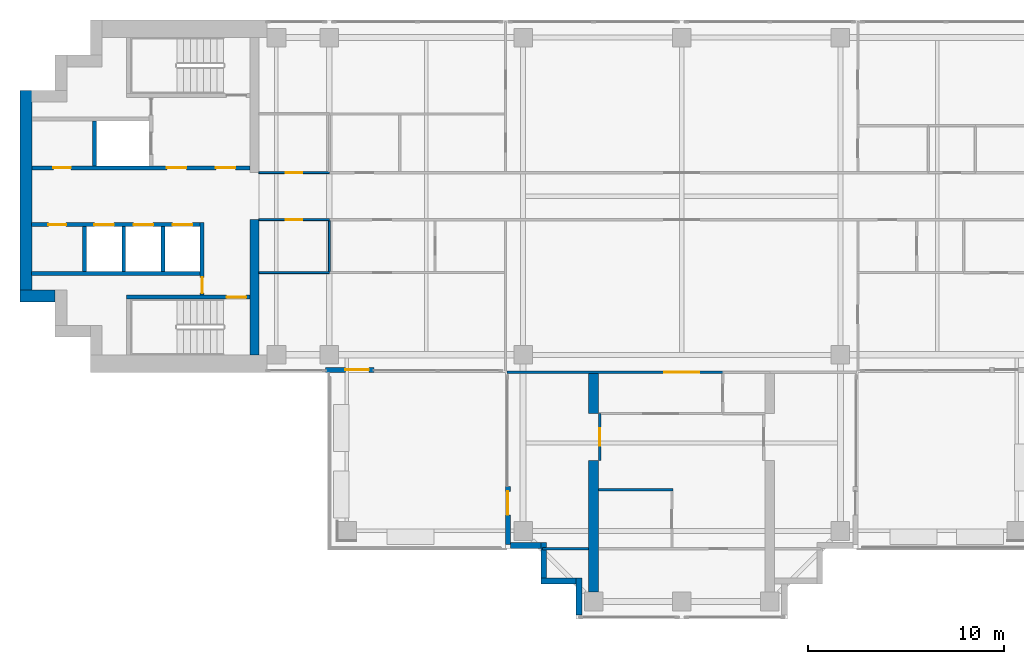
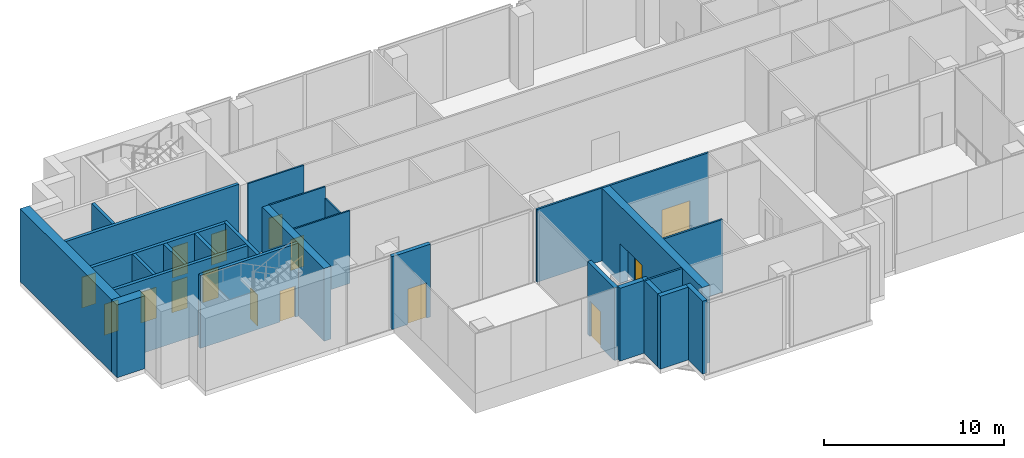
# One storey, part 5 of 12: 27 walls, 15 doors, 15 openings.
"""IFC4 building model written with IfcOpenShell, lengths in metres."""

from ifc_helpers import new_model, si_unit, direction, frame, frame_2d, origin, place, context, subcontext, project, spatial, polyline, rectangle, outline, extrude, material, layer, layer_set, material_profile, profile_set, type_object, element, fill, save


model = new_model("IFC4")

# Units and contexts
model_context = context("Model", 3, precision=1e-05, world=origin(), true_north=direction((0.0, 1.0)))
body_context = subcontext(model_context, "Body", "Model", "MODEL_VIEW")
ifc_project = project(units=[si_unit("LENGTHUNIT", "METRE"), si_unit("AREAUNIT", "SQUARE_METRE"), si_unit("VOLUMEUNIT", "CUBIC_METRE"), si_unit("PLANEANGLEUNIT", "RADIAN"), si_unit("MASSUNIT", "GRAM", prefix="KILO")], contexts=[model_context])

# Site, building, storey
site_placement = place(None, origin())
site = spatial("IfcSite", under=ifc_project, at=site_placement, CompositionType="ELEMENT")
building_placement = place(site_placement, origin())
building = spatial("IfcBuilding", under=site, at=building_placement, Name="Perihelion Cross Residences", CompositionType="ELEMENT")
storey_placement = place(building_placement, frame((0.0, 0.0, 222.60009765625)))
storey = spatial("IfcBuildingStorey", under=building, at=storey_placement, Name="L56", CompositionType="ELEMENT", Elevation=222.60009765625)

# Wall, opening, door
ifc_material_1 = material(Name="Concrete C30/37, bronze-clad", Category="concrete")
ifc_layer_1 = layer(ifc_material_1, 0.25)
ifc_layer_set_1 = layer_set([ifc_layer_1], Name="Bronze-clad pier wall 250")
wall_type_1 = type_object("IfcWallType", Name="Bronze-clad pier wall 250", PredefinedType="SOLIDWALL", material=ifc_layer_set_1)
wall_1_placement = place(storey_placement, frame((-18.199951171875, -8.875, 0.0), z_axis=(0.0, 0.0, 1.0), x_axis=(1.0, 0.0, 0.0)))
wall_1 = element("IfcWall", 1, at=wall_1_placement, inside=storey, type_object=wall_type_1, Name="Wall FW1 L56 west side south bay 2 pier", PredefinedType="SOLIDWALL", context=body_context, shape_type="SweptSolid", body=[
    extrude(rectangle(XDim=2.474853515625, YDim=0.25, at=frame_2d((1.2373046875, 0.0))), origin(), (0.0, 0.0, 1.0), 4.949951171875),
])
opening_1_placement = place(wall_1_placement, frame((1.02490234375, 0.0, 0.0)))
opening_1 = element("IfcOpeningElement", 2, at=opening_1_placement, cuts=wall_1, Name="Opening L56.E01", PredefinedType="OPENING", context=body_context, shape_type="SweptSolid", body=[
    extrude(rectangle(XDim=1.199951171875, YDim=2.39990234375, at=frame_2d((0.60009765625, 1.199951171875))), frame((0.0, 0.135009765625, 0.0), z_axis=(0.0, -1.0, 0.0), x_axis=(1.0, 0.0, 0.0)), (0.0, 0.0, 1.0), 0.27001953125),
])
ifc_material_2 = material(Name="Bronze anodised aluminium, glazed", Category="aluminium")
door_type_1 = type_object("IfcDoorType", Name="Balcony door 1200 x 2400", OperationType="NOTDEFINED", PredefinedType="DOOR", material=ifc_material_2)
door_1_placement = place(opening_1_placement, origin())
door_1 = element("IfcDoor", 3, at=door_1_placement, inside=storey, type_object=door_type_1, Name="Door L56.E01 west side south bay 2", OperationType="SINGLE_SWING_RIGHT", OverallHeight=2.39990234375, OverallWidth=1.199951171875, PredefinedType="DOOR", context=body_context, shape_type="SweptSolid", body=[
    extrude(rectangle(XDim=1.199951171875, YDim=2.39990234375, at=frame_2d((0.60009765625, 1.199951171875))), frame((0.0, 0.02490234375, 0.0), z_axis=(0.0, -1.0, 0.0), x_axis=(1.0, 0.0, 0.0)), (0.0, 0.0, 1.0), 0.050048828125),
])
fill(opening_1, door_1)

wall_2_placement = place(storey_placement, frame((-8.875, -14.824951171875, 0.0), z_axis=(0.0, 0.0, 1.0), x_axis=(0.0, -1.0, 0.0)))
wall_2 = element("IfcWall", 4, at=wall_2_placement, inside=storey, type_object=wall_type_1, Name="Wall FW1 L56 south side west bay 1 pier", PredefinedType="SOLIDWALL", context=body_context, shape_type="SweptSolid", body=[
    extrude(rectangle(XDim=2.97509765625, YDim=0.25, at=frame_2d((1.487548828125, 0.0))), origin(), (0.0, 0.0, 1.0), 4.949951171875),
])
opening_2_placement = place(wall_2_placement, frame((0.25, 0.0, 0.0)))
opening_2 = element("IfcOpeningElement", 5, at=opening_2_placement, cuts=wall_2, Name="Opening L56.E02", PredefinedType="OPENING", context=body_context, shape_type="SweptSolid", body=[
    extrude(rectangle(XDim=1.199951171875, YDim=2.39990234375, at=frame_2d((0.60009765625, 1.199951171875))), frame((0.0, 0.135009765625, 0.0), z_axis=(0.0, -1.0, 0.0), x_axis=(1.0, 0.0, 0.0)), (0.0, 0.0, 1.0), 0.27001953125),
])
door_2_placement = place(opening_2_placement, origin())
door_2 = element("IfcDoor", 6, at=door_2_placement, inside=storey, type_object=door_type_1, Name="Door L56.E02 south side west bay 1", OperationType="SINGLE_SWING_LEFT", OverallHeight=2.39990234375, OverallWidth=1.199951171875, PredefinedType="DOOR", context=body_context, shape_type="SweptSolid", body=[
    extrude(rectangle(XDim=1.199951171875, YDim=2.39990234375, at=frame_2d((0.60009765625, 1.199951171875))), frame((0.0, 0.02490234375, 0.0), z_axis=(0.0, -1.0, 0.0), x_axis=(1.0, 0.0, 0.0)), (0.0, 0.0, 1.0), 0.050048828125),
])
fill(opening_2, door_2)

# Walls
ifc_material_3 = material(Name="Concrete C30/37, bronze-clad", Category="concrete")
ifc_layer_2 = layer(ifc_material_3, 0.300048828125)
ifc_layer_set_2 = layer_set([ifc_layer_2], Name="Bronze-clad serration wall 300")
wall_type_2 = type_object("IfcWallType", Name="Bronze-clad serration wall 300", PredefinedType="SOLIDWALL", material=ifc_layer_set_2)
wall_3_placement = place(storey_placement, frame((-8.75, -17.85009765625, 0.0), z_axis=(0.0, 0.0, 1.0), x_axis=(1.0, 0.0, 0.0)))
element("IfcWall", 7, at=wall_3_placement, inside=storey, type_object=wall_type_2, Name="Wall SR1 L56 south corner south-west 1", PredefinedType="SOLIDWALL", context=body_context, shape_type="SweptSolid", body=[
    extrude(rectangle(XDim=1.550048828125, YDim=0.300048828125, at=frame_2d((0.77490234375, 0.0))), origin(), (0.0, 0.0, 1.0), 4.949951171875),
])
for number, where, z_axis, x_axis, name in (
    (8, (-7.050048828125, -17.699951171875, 0.0), (0.0, 0.0, 1.0), (0.0, -1.0, 0.0), "Wall SR1 L56 south corner south-west 2"),
    (9, (-7.199951171875, -19.64990234375, 0.0), (0.0, 0.0, 1.0), (1.0, 0.0, 0.0), "Wall SR1 L56 south corner south-west 3"),
):
    element("IfcWall", number, at=place(storey_placement, frame(where, z_axis=z_axis, x_axis=x_axis)), inside=storey, type_object=wall_type_2, Name=name, PredefinedType="SOLIDWALL", context=body_context, shape_type="SweptSolid", body=[
        extrude(rectangle(XDim=1.800048828125, YDim=0.300048828125, at=frame_2d((0.89990234375, 0.0))), origin(), (0.0, 0.0, 1.0), 4.949951171875),
    ])
wall_4_placement = place(storey_placement, frame((-5.25, -19.5, 0.0), z_axis=(0.0, 0.0, 1.0), x_axis=(0.0, -1.0, 0.0)))
element("IfcWall", 10, at=wall_4_placement, inside=storey, type_object=wall_type_2, Name="Wall SR1 L56 south corner south-west 4", PredefinedType="SOLIDWALL", context=body_context, shape_type="SweptSolid", body=[
    extrude(rectangle(XDim=1.889892578125, YDim=0.300048828125, at=frame_2d((0.94482421875, 0.0))), origin(), (0.0, 0.0, 1.0), 4.949951171875),
])
ifc_material_4 = material(Name="Concrete C60/75", Category="concrete")
ifc_layer_3 = layer(ifc_material_4, 0.449951171875)
ifc_layer_set_3 = layer_set([ifc_layer_3], Name="Core wall, inner 450")
wall_type_3 = type_object("IfcWallType", Name="Core wall, inner 450", PredefinedType="SHEAR", material=ifc_layer_set_3)
wall_5_placement = place(storey_placement, frame((-21.824951171875, -8.10009765625, 0.0), z_axis=(0.0, 0.0, 1.0), x_axis=(0.0, 1.0, 0.0)))
element("IfcWall", 11, at=wall_5_placement, inside=storey, type_object=wall_type_3, Name="West core core wall, inner", PredefinedType="SHEAR", context=body_context, shape_type="SweptSolid", body=[
    extrude(rectangle(XDim=6.900146484375, YDim=0.449951171875, at=frame_2d((3.4501953125, 0.0))), origin(), (0.0, 0.0, 1.0), 4.949951171875),
])
ifc_material_5 = material(Name="Concrete C60/75", Category="concrete")
ifc_layer_4 = layer(ifc_material_5, 0.60009765625)
ifc_layer_set_4 = layer_set([ifc_layer_4], Name="Core wall, outer 600")
wall_type_4 = type_object("IfcWallType", Name="Core wall, outer 600", PredefinedType="SHEAR", material=ifc_layer_set_4)
wall_6_placement = place(storey_placement, frame((-33.800048828125, -5.10009765625, 0.0), z_axis=(0.0, 0.0, 1.0), x_axis=(1.0, 0.0, 0.0)))
element("IfcWall", 12, at=wall_6_placement, inside=storey, type_object=wall_type_4, Name="West core core wall, outer", PredefinedType="SHEAR", context=body_context, shape_type="SweptSolid", body=[
    extrude(rectangle(XDim=1.800048828125, YDim=0.60009765625, at=frame_2d((0.89990234375, 0.0))), origin(), (0.0, 0.0, 1.0), 4.949951171875),
])
wall_7_placement = place(storey_placement, frame((-33.5, -4.800048828125, 0.0), z_axis=(0.0, 0.0, 1.0), x_axis=(0.0, 1.0, 0.0)))
element("IfcWall", 13, at=wall_7_placement, inside=storey, type_object=wall_type_4, Name="West core core wall, outer", PredefinedType="SHEAR", context=body_context, shape_type="SweptSolid", body=[
    extrude(rectangle(XDim=10.199951171875, YDim=0.60009765625, at=frame_2d((5.10009765625, 0.0))), origin(), (0.0, 0.0, 1.0), 4.949951171875),
])

# Wall, opening, door
ifc_material_6 = material(Name="Plasterboard partition")
ifc_layer_5 = layer(ifc_material_6, 0.1201171875)
ifc_layer_set_5 = layer_set([ifc_layer_5], Name="Infill panel 120")
wall_type_5 = type_object("IfcWallType", Name="Infill panel 120", PredefinedType="PARTITIONING", material=ifc_layer_set_5)
wall_8_placement = place(storey_placement, frame((-4.18994140625, -11.10009765625, 0.0), z_axis=(0.0, 0.0, 1.0), x_axis=(0.0, -1.0, 0.0)))
wall_8 = element("IfcWall", 14, at=wall_8_placement, inside=storey, type_object=wall_type_5, Name="Partition L56 WI02", PredefinedType="PARTITIONING", context=body_context, shape_type="SweptSolid", body=[
    extrude(rectangle(XDim=2.39990234375, YDim=0.1201171875, at=frame_2d((1.199951171875, 0.0))), origin(), (0.0, 0.0, 1.0), 2.39990234375),
])
opening_3_placement = place(wall_8_placement, frame((0.75, 0.0, 0.0)))
opening_3 = element("IfcOpeningElement", 15, at=opening_3_placement, cuts=wall_8, Name="Opening L56.A28", PredefinedType="OPENING", context=body_context, shape_type="SweptSolid", body=[
    extrude(rectangle(XDim=0.89990234375, YDim=2.10009765625, at=frame_2d((0.449951171875, 1.050048828125))), frame((0.0, 0.070068359375, 0.0), z_axis=(0.0, -1.0, 0.0), x_axis=(1.0, 0.0, 0.0)), (0.0, 0.0, 1.0), 0.14013671875),
])
ifc_material_7 = material(Name="Timber door leaf", Category="wood")
door_type_2 = type_object("IfcDoorType", Name="Interior room door 900 x 2100", OperationType="SINGLE_SWING_LEFT", PredefinedType="DOOR", material=ifc_material_7)
door_3_placement = place(opening_3_placement, origin())
door_3 = element("IfcDoor", 16, at=door_3_placement, inside=storey, type_object=door_type_2, Name="Door L56.A28", OperationType="SINGLE_SWING_RIGHT", OverallHeight=2.10009765625, OverallWidth=0.89990234375, PredefinedType="DOOR", context=body_context, shape_type="SweptSolid", body=[
    extrude(rectangle(XDim=0.89990234375, YDim=2.10009765625, at=frame_2d((0.449951171875, 1.050048828125))), frame((0.0, 0.02490234375, 0.0), z_axis=(0.0, -1.0, 0.0), x_axis=(1.0, 0.0, 0.0)), (0.0, 0.0, 1.0), 0.050048828125),
])
fill(opening_3, door_3)

ifc_material_8 = material(Name="Concrete C50/60", Category="concrete")
ifc_layer_6 = layer(ifc_material_8, 0.199951171875)
ifc_layer_set_6 = layer_set([ifc_layer_6], Name="Lobby wall 200")
wall_type_6 = type_object("IfcWallType", Name="Lobby wall 200", PredefinedType="SOLIDWALL", material=ifc_layer_set_6)
wall_9_placement = place(storey_placement, frame((-24.5, -5.050048828125, 0.0), z_axis=(0.0, 0.0, 1.0), x_axis=(0.0, 1.0, 0.0)))
wall_9 = element("IfcWall", 17, at=wall_9_placement, inside=storey, type_object=wall_type_6, Name="West core lobby wall", PredefinedType="SOLIDWALL", context=body_context, shape_type="SweptSolid", body=[
    extrude(rectangle(XDim=3.699951171875, YDim=0.199951171875, at=frame_2d((1.85009765625, 0.0))), origin(), (0.0, 0.0, 1.0), 4.949951171875),
])
opening_4_placement = place(wall_9_placement, frame((0.10009765625, 0.0, 0.0)))
opening_4 = element("IfcOpeningElement", 18, at=opening_4_placement, cuts=wall_9, Name="Opening L56.C20", PredefinedType="OPENING", context=body_context, shape_type="SweptSolid", body=[
    extrude(rectangle(XDim=0.800048828125, YDim=2.10009765625, at=frame_2d((0.39990234375, 1.050048828125))), frame((0.0, 0.10986328125, 0.0), z_axis=(0.0, -1.0, 0.0), x_axis=(1.0, 0.0, 0.0)), (0.0, 0.0, 1.0), 0.219970703125),
])
ifc_material_9 = material(Name="Steel, powder coated", Category="steel")
door_type_3 = type_object("IfcDoorType", Name="Riser door 800", OperationType="SINGLE_SWING_LEFT", PredefinedType="DOOR", material=ifc_material_9)
door_4_placement = place(opening_4_placement, origin())
door_4 = element("IfcDoor", 19, at=door_4_placement, inside=storey, type_object=door_type_3, Name="West core riser door", OperationType="SINGLE_SWING_LEFT", OverallHeight=2.10009765625, OverallWidth=0.800048828125, PredefinedType="DOOR", context=body_context, shape_type="SweptSolid", body=[
    extrude(rectangle(XDim=0.800048828125, YDim=2.10009765625, at=frame_2d((0.39990234375, 1.050048828125))), frame((0.0, 0.02490234375, 0.0), z_axis=(0.0, -1.0, 0.0), x_axis=(1.0, 0.0, 0.0)), (0.0, 0.0, 1.0), 0.050048828125),
])
fill(opening_4, door_4)

ifc_material_10 = material(Name="Plasterboard partition")
ifc_layer_7 = layer(ifc_material_10, 0.1201171875)
ifc_layer_set_7 = layer_set([ifc_layer_7], Name="Partition wall 120")
wall_type_7 = type_object("IfcWallType", Name="Partition wall 120", PredefinedType="PARTITIONING", material=ifc_layer_set_7)
wall_10_placement = place(storey_placement, frame((2.10009765625, -9.0, 0.0), z_axis=(0.0, 0.0, 1.0), x_axis=(-1.0, 0.0, 0.0)))
wall_10 = element("IfcWall", 20, at=wall_10_placement, inside=storey, type_object=wall_type_7, Name="Partition L56 W012", PredefinedType="PARTITIONING", context=body_context, shape_type="SweptSolid", body=[
    extrude(rectangle(XDim=11.02001953125, YDim=0.1201171875, at=frame_2d((5.510009765625, 0.0))), origin(), (0.0, 0.0, 1.0), 4.949951171875),
])
opening_5_placement = place(wall_10_placement, frame((1.199951171875, 0.0, 0.0)))
opening_5 = element("IfcOpeningElement", 21, at=opening_5_placement, cuts=wall_10, Name="Opening L56.A22", PredefinedType="OPENING", context=body_context, shape_type="SweptSolid", body=[
    extrude(rectangle(XDim=1.800048828125, YDim=2.10009765625, at=frame_2d((0.89990234375, 1.050048828125))), frame((0.0, 0.070068359375, 0.0), z_axis=(0.0, -1.0, 0.0), x_axis=(1.0, 0.0, 0.0)), (0.0, 0.0, 1.0), 0.14013671875),
])
ifc_material_11 = material(Name="Glazed timber door leaf", Category="wood")
door_type_4 = type_object("IfcDoorType", Name="Interior double leaf door 1800 x 2100", OperationType="DOUBLE_DOOR_SINGLE_SWING", PredefinedType="DOOR", material=ifc_material_11)
door_5_placement = place(opening_5_placement, origin())
door_5 = element("IfcDoor", 22, at=door_5_placement, inside=storey, type_object=door_type_4, Name="Door L56.A22", OperationType="SINGLE_SWING_LEFT", OverallHeight=2.10009765625, OverallWidth=1.800048828125, PredefinedType="DOOR", context=body_context, shape_type="SweptSolid", body=[
    extrude(rectangle(XDim=1.800048828125, YDim=2.10009765625, at=frame_2d((0.89990234375, 1.050048828125))), frame((0.0, 0.02490234375, 0.0), z_axis=(0.0, -1.0, 0.0), x_axis=(1.0, 0.0, 0.0)), (0.0, 0.0, 1.0), 0.050048828125),
])
fill(opening_5, door_5)

# Walls
wall_11_placement = place(storey_placement, frame((-0.43994140625, -15.0, 0.0), z_axis=(0.0, 0.0, 1.0), x_axis=(-1.0, 0.0, 0.0)))
element("IfcWall", 23, at=wall_11_placement, inside=storey, type_object=wall_type_7, Name="Partition L56 W039", PredefinedType="PARTITIONING", context=body_context, shape_type="SweptSolid", body=[
    extrude(rectangle(XDim=3.81005859375, YDim=0.1201171875, at=frame_2d((1.905029296875, 0.0))), origin(), (0.0, 0.0, 1.0), 4.949951171875),
])
wall_12_placement = place(storey_placement, frame((-4.75, -18.0, 0.0), z_axis=(0.0, 0.0, 1.0), x_axis=(-1.0, 0.0, 0.0)))
element("IfcWall", 24, at=wall_12_placement, inside=storey, type_object=wall_type_7, Name="Partition L56 W042", PredefinedType="PARTITIONING", context=body_context, shape_type="SweptSolid", body=[
    extrude(rectangle(XDim=2.3701171875, YDim=0.1201171875, at=frame_2d((1.18505859375, 0.0))), origin(), (0.0, 0.0, 1.0), 4.949951171875),
])

# Wall, openings, doors
ifc_material_12 = material(Name="Concrete C50/60", Category="concrete")
ifc_layer_8 = layer(ifc_material_12, 0.199951171875)
ifc_layer_set_8 = layer_set([ifc_layer_8], Name="Shaft wall 200")
wall_type_8 = type_object("IfcWallType", Name="Shaft wall 200", PredefinedType="SOLIDWALL", material=ifc_layer_set_8)
wall_13_placement = place(storey_placement, frame((-33.199951171875, 1.449951171875, 0.0), z_axis=(0.0, 0.0, 1.0), x_axis=(1.0, 0.0, 0.0)))
wall_13 = element("IfcWall", 25, at=wall_13_placement, inside=storey, type_object=wall_type_8, Name="West core shaft wall", PredefinedType="SOLIDWALL", context=body_context, shape_type="SweptSolid", body=[
    extrude(rectangle(XDim=11.14990234375, YDim=0.199951171875, at=frame_2d((5.574951171875, 0.0))), origin(), (0.0, 0.0, 1.0), 4.949951171875),
])
opening_6_placement = place(wall_13_placement, frame((9.39990234375, 0.0, 0.0)))
opening_6 = element("IfcOpeningElement", 26, at=opening_6_placement, cuts=wall_13, Name="Opening L56.C19", PredefinedType="OPENING", context=body_context, shape_type="SweptSolid", body=[
    extrude(rectangle(XDim=1.0, YDim=2.10009765625, at=frame_2d((0.5, 1.050048828125))), frame((0.0, 0.10986328125, 0.0), z_axis=(0.0, -1.0, 0.0), x_axis=(1.0, 0.0, 0.0)), (0.0, 0.0, 1.0), 0.219970703125),
])
opening_7_placement = place(wall_13_placement, frame((6.89990234375, 0.0, 0.0)))
opening_7 = element("IfcOpeningElement", 27, at=opening_7_placement, cuts=wall_13, Name="Opening L56.C21", PredefinedType="OPENING", context=body_context, shape_type="SweptSolid", body=[
    extrude(rectangle(XDim=1.0, YDim=2.10009765625, at=frame_2d((0.5, 1.050048828125))), frame((0.0, 0.10986328125, 0.0), z_axis=(0.0, -1.0, 0.0), x_axis=(1.0, 0.0, 0.0)), (0.0, 0.0, 1.0), 0.219970703125),
])
opening_8_placement = place(wall_13_placement, frame((1.10009765625, 0.0, 0.0)))
opening_8 = element("IfcOpeningElement", 28, at=opening_8_placement, cuts=wall_13, Name="Opening L56.C23", PredefinedType="OPENING", context=body_context, shape_type="SweptSolid", body=[
    extrude(rectangle(XDim=0.89990234375, YDim=2.10009765625, at=frame_2d((0.449951171875, 1.050048828125))), frame((0.0, 0.10986328125, 0.0), z_axis=(0.0, -1.0, 0.0), x_axis=(1.0, 0.0, 0.0)), (0.0, 0.0, 1.0), 0.219970703125),
])
ifc_material_13 = material(Name="Steel, powder coated", Category="steel")
door_type_5 = type_object("IfcDoorType", Name="Lobby door 1000", OperationType="SINGLE_SWING_LEFT", PredefinedType="DOOR", material=ifc_material_13)
door_6_placement = place(opening_6_placement, origin())
door_6 = element("IfcDoor", 29, at=door_6_placement, inside=storey, type_object=door_type_5, Name="West core firefighting lobby door", OperationType="SINGLE_SWING_LEFT", OverallHeight=2.10009765625, OverallWidth=1.0, PredefinedType="DOOR", context=body_context, shape_type="SweptSolid", body=[
    extrude(rectangle(XDim=1.0, YDim=2.10009765625, at=frame_2d((0.5, 1.050048828125))), frame((0.0, 0.02490234375, 0.0), z_axis=(0.0, -1.0, 0.0), x_axis=(1.0, 0.0, 0.0)), (0.0, 0.0, 1.0), 0.050048828125),
])
fill(opening_6, door_6)
door_7_placement = place(opening_7_placement, origin())
door_7 = element("IfcDoor", 30, at=door_7_placement, inside=storey, type_object=door_type_5, Name="West core firefighting lobby door", OperationType="SINGLE_SWING_LEFT", OverallHeight=2.10009765625, OverallWidth=1.0, PredefinedType="DOOR", context=body_context, shape_type="SweptSolid", body=[
    extrude(rectangle(XDim=1.0, YDim=2.10009765625, at=frame_2d((0.5, 1.050048828125))), frame((0.0, 0.02490234375, 0.0), z_axis=(0.0, -1.0, 0.0), x_axis=(1.0, 0.0, 0.0)), (0.0, 0.0, 1.0), 0.050048828125),
])
fill(opening_7, door_7)
ifc_material_14 = material(Name="Steel, powder coated", Category="steel")
door_type_6 = type_object("IfcDoorType", Name="Service room door 900", OperationType="SINGLE_SWING_LEFT", PredefinedType="DOOR", material=ifc_material_14)
door_8_placement = place(opening_8_placement, origin())
door_8 = element("IfcDoor", 31, at=door_8_placement, inside=storey, type_object=door_type_6, Name="West core service room door", OperationType="SINGLE_SWING_LEFT", OverallHeight=2.10009765625, OverallWidth=0.89990234375, PredefinedType="DOOR", context=body_context, shape_type="SweptSolid", body=[
    extrude(rectangle(XDim=0.89990234375, YDim=2.10009765625, at=frame_2d((0.449951171875, 1.050048828125))), frame((0.0, 0.02490234375, 0.0), z_axis=(0.0, -1.0, 0.0), x_axis=(1.0, 0.0, 0.0)), (0.0, 0.0, 1.0), 0.050048828125),
])
fill(opening_8, door_8)

wall_14_placement = place(storey_placement, frame((-33.199951171875, -1.449951171875, 0.0), z_axis=(0.0, 0.0, 1.0), x_axis=(1.0, 0.0, 0.0)))
wall_14 = element("IfcWall", 32, at=wall_14_placement, inside=storey, type_object=wall_type_8, Name="West core shaft wall", PredefinedType="SOLIDWALL", context=body_context, shape_type="SweptSolid", body=[
    extrude(rectangle(XDim=8.599853515625, YDim=0.199951171875, at=frame_2d((4.2998046875, 0.0))), origin(), (0.0, 0.0, 1.0), 4.949951171875),
])
opening_9_placement = place(wall_14_placement, frame((7.199951171875, 0.0, 0.0)))
opening_9 = element("IfcOpeningElement", 33, at=opening_9_placement, cuts=wall_14, Name="Opening L56.C13", PredefinedType="OPENING", context=body_context, shape_type="SweptSolid", body=[
    extrude(rectangle(XDim=1.0, YDim=2.10009765625, at=frame_2d((0.5, 1.050048828125))), frame((0.0, 0.10986328125, 0.0), z_axis=(0.0, -1.0, 0.0), x_axis=(1.0, 0.0, 0.0)), (0.0, 0.0, 1.0), 0.219970703125),
])
opening_10_placement = place(wall_14_placement, frame((5.199951171875, 0.0, 0.0)))
opening_10 = element("IfcOpeningElement", 34, at=opening_10_placement, cuts=wall_14, Name="Opening L56.C15", PredefinedType="OPENING", context=body_context, shape_type="SweptSolid", body=[
    extrude(rectangle(XDim=1.0, YDim=2.10009765625, at=frame_2d((0.5, 1.050048828125))), frame((0.0, 0.10986328125, 0.0), z_axis=(0.0, -1.0, 0.0), x_axis=(1.0, 0.0, 0.0)), (0.0, 0.0, 1.0), 0.219970703125),
])
opening_11_placement = place(wall_14_placement, frame((3.199951171875, 0.0, 0.0)))
opening_11 = element("IfcOpeningElement", 35, at=opening_11_placement, cuts=wall_14, Name="Opening L56.C16", PredefinedType="OPENING", context=body_context, shape_type="SweptSolid", body=[
    extrude(rectangle(XDim=1.0, YDim=2.10009765625, at=frame_2d((0.5, 1.050048828125))), frame((0.0, 0.10986328125, 0.0), z_axis=(0.0, -1.0, 0.0), x_axis=(1.0, 0.0, 0.0)), (0.0, 0.0, 1.0), 0.219970703125),
])
opening_12_placement = place(wall_14_placement, frame((0.85009765625, 0.0, 0.0)))
opening_12 = element("IfcOpeningElement", 36, at=opening_12_placement, cuts=wall_14, Name="Opening L56.C24", PredefinedType="OPENING", context=body_context, shape_type="SweptSolid", body=[
    extrude(rectangle(XDim=0.89990234375, YDim=2.10009765625, at=frame_2d((0.449951171875, 1.050048828125))), frame((0.0, 0.10986328125, 0.0), z_axis=(0.0, -1.0, 0.0), x_axis=(1.0, 0.0, 0.0)), (0.0, 0.0, 1.0), 0.219970703125),
])
ifc_material_15 = material(Name="Stainless steel", Category="steel")
door_type_7 = type_object("IfcDoorType", Name="Landing door 1000", OperationType="DOUBLE_DOOR_SLIDING", PredefinedType="DOOR", material=ifc_material_15)
door_9_placement = place(opening_9_placement, origin())
door_9 = element("IfcDoor", 37, at=door_9_placement, inside=storey, type_object=door_type_7, Name="Landing door, West core high-rise lift 1", OperationType="DOUBLE_DOOR_SLIDING", OverallHeight=2.10009765625, OverallWidth=1.0, PredefinedType="DOOR", context=body_context, shape_type="SweptSolid", body=[
    extrude(rectangle(XDim=1.0, YDim=2.10009765625, at=frame_2d((0.5, 1.050048828125))), frame((0.0, 0.02490234375, 0.0), z_axis=(0.0, -1.0, 0.0), x_axis=(1.0, 0.0, 0.0)), (0.0, 0.0, 1.0), 0.050048828125),
])
fill(opening_9, door_9)
door_10_placement = place(opening_10_placement, origin())
door_10 = element("IfcDoor", 38, at=door_10_placement, inside=storey, type_object=door_type_7, Name="Landing door, West core high-rise lift 2", OperationType="DOUBLE_DOOR_SLIDING", OverallHeight=2.10009765625, OverallWidth=1.0, PredefinedType="DOOR", context=body_context, shape_type="SweptSolid", body=[
    extrude(rectangle(XDim=1.0, YDim=2.10009765625, at=frame_2d((0.5, 1.050048828125))), frame((0.0, 0.02490234375, 0.0), z_axis=(0.0, -1.0, 0.0), x_axis=(1.0, 0.0, 0.0)), (0.0, 0.0, 1.0), 0.050048828125),
])
fill(opening_10, door_10)
door_11_placement = place(opening_11_placement, origin())
door_11 = element("IfcDoor", 39, at=door_11_placement, inside=storey, type_object=door_type_7, Name="Landing door, West core high-rise lift 3", OperationType="DOUBLE_DOOR_SLIDING", OverallHeight=2.10009765625, OverallWidth=1.0, PredefinedType="DOOR", context=body_context, shape_type="SweptSolid", body=[
    extrude(rectangle(XDim=1.0, YDim=2.10009765625, at=frame_2d((0.5, 1.050048828125))), frame((0.0, 0.02490234375, 0.0), z_axis=(0.0, -1.0, 0.0), x_axis=(1.0, 0.0, 0.0)), (0.0, 0.0, 1.0), 0.050048828125),
])
fill(opening_11, door_11)
door_12_placement = place(opening_12_placement, origin())
door_12 = element("IfcDoor", 40, at=door_12_placement, inside=storey, type_object=door_type_6, Name="West core service room door", OperationType="SINGLE_SWING_LEFT", OverallHeight=2.10009765625, OverallWidth=0.89990234375, PredefinedType="DOOR", context=body_context, shape_type="SweptSolid", body=[
    extrude(rectangle(XDim=0.89990234375, YDim=2.10009765625, at=frame_2d((0.449951171875, 1.050048828125))), frame((0.0, 0.02490234375, 0.0), z_axis=(0.0, -1.0, 0.0), x_axis=(1.0, 0.0, 0.0)), (0.0, 0.0, 1.0), 0.050048828125),
])
fill(opening_12, door_12)

# Walls
wall_15_placement = place(storey_placement, frame((-33.199951171875, -3.949951171875, 0.0), z_axis=(0.0, 0.0, 1.0), x_axis=(1.0, 0.0, 0.0)))
element("IfcWall", 41, at=wall_15_placement, inside=storey, type_object=wall_type_8, Name="West core shaft wall", PredefinedType="SOLIDWALL", context=body_context, shape_type="SweptSolid", body=[
    extrude(rectangle(XDim=8.599853515625, YDim=0.199951171875, at=frame_2d((4.2998046875, 0.0))), origin(), (0.0, 0.0, 1.0), 4.949951171875),
])
for number, where, z_axis, x_axis, name in (
    (42, (-30.0, 1.550048828125, 0.0), (0.0, 0.0, 1.0), (0.0, 1.0, 0.0), "West core shaft wall"),
    (43, (-26.5, -3.85009765625, 0.0), (0.0, 0.0, 1.0), (0.0, 1.0, 0.0), "West core shaft wall"),
    (44, (-28.5, -3.85009765625, 0.0), (0.0, 0.0, 1.0), (0.0, 1.0, 0.0), "West core shaft wall"),
    (45, (-30.5, -3.85009765625, 0.0), (0.0, 0.0, 1.0), (0.0, 1.0, 0.0), "West core shaft wall"),
):
    element("IfcWall", number, at=place(storey_placement, frame(where, z_axis=z_axis, x_axis=x_axis)), inside=storey, type_object=wall_type_8, Name=name, PredefinedType="SOLIDWALL", context=body_context, shape_type="SweptSolid", body=[
        extrude(rectangle(XDim=2.300048828125, YDim=0.199951171875, at=frame_2d((1.14990234375, 0.0))), origin(), (0.0, 0.0, 1.0), 4.949951171875),
    ])

# Wall, opening, door
ifc_material_16 = material(Name="Concrete C50/60", Category="concrete")
ifc_layer_9 = layer(ifc_material_16, 0.199951171875)
ifc_layer_set_9 = layer_set([ifc_layer_9], Name="Stair wall 200")
wall_type_9 = type_object("IfcWallType", Name="Stair wall 200", PredefinedType="SOLIDWALL", material=ifc_layer_set_9)
wall_16_placement = place(storey_placement, frame((-28.35009765625, -5.14990234375, 0.0), z_axis=(0.0, 0.0, 1.0), x_axis=(1.0, 0.0, 0.0)))
wall_16 = element("IfcWall", 46, at=wall_16_placement, inside=storey, type_object=wall_type_9, Name="West core stair wall", PredefinedType="SOLIDWALL", context=body_context, shape_type="SweptSolid", body=[
    extrude(rectangle(XDim=6.300048828125, YDim=0.199951171875, at=frame_2d((3.14990234375, 0.0))), origin(), (0.0, 0.0, 1.0), 4.949951171875),
])
opening_13_placement = place(wall_16_placement, frame((5.10009765625, 0.0, 0.0)))
opening_13 = element("IfcOpeningElement", 47, at=opening_13_placement, cuts=wall_16, Name="Opening L56.C17", PredefinedType="OPENING", context=body_context, shape_type="SweptSolid", body=[
    extrude(rectangle(XDim=1.0, YDim=2.10009765625, at=frame_2d((0.5, 1.050048828125))), frame((0.0, 0.10986328125, 0.0), z_axis=(0.0, -1.0, 0.0), x_axis=(1.0, 0.0, 0.0)), (0.0, 0.0, 1.0), 0.219970703125),
])
ifc_material_17 = material(Name="Steel, powder coated", Category="steel")
door_type_8 = type_object("IfcDoorType", Name="Stair door 1000", OperationType="SINGLE_SWING_LEFT", PredefinedType="DOOR", material=ifc_material_17)
door_13_placement = place(opening_13_placement, origin())
door_13 = element("IfcDoor", 48, at=door_13_placement, inside=storey, type_object=door_type_8, Name="West core stair door", OperationType="SINGLE_SWING_LEFT", OverallHeight=2.10009765625, OverallWidth=1.0, PredefinedType="DOOR", context=body_context, shape_type="SweptSolid", body=[
    extrude(rectangle(XDim=1.0, YDim=2.10009765625, at=frame_2d((0.5, 1.050048828125))), frame((0.0, 0.02490234375, 0.0), z_axis=(0.0, -1.0, 0.0), x_axis=(1.0, 0.0, 0.0)), (0.0, 0.0, 1.0), 0.050048828125),
])
fill(opening_13, door_13)

# Wall
ifc_material_18 = material(Name="Concrete C60/75", Category="concrete")
ifc_material_profile = material_profile(ifc_material_18, outline(polyline([(0.0, 0.0), (6.72509765625, 0.0), (6.72509765625, 2.699951171875), (9.125, 2.699951171875), (9.125, 0.0), (11.22509765625, 0.0), (11.22509765625, 5.25), (0.0, 5.25), (0.0, 0.0)])), Name="Tip spine wall")
ifc_profile_set = profile_set([ifc_material_profile], Name="Concrete C60/75")
wall_type_10 = type_object("IfcWallType", Name="Tip spine wall 500 with 1 door openings 11225 long 5250 high concrete C60/75", PredefinedType="SHEAR", material=ifc_profile_set)
wall_17_placement = place(storey_placement, frame((-4.75, -20.22509765625, -0.300048828125), z_axis=(1.0, 0.0, 0.0), x_axis=(0.0, 1.0, 0.0)))
element("IfcWall", 49, at=wall_17_placement, inside=storey, type_object=wall_type_10, Name="Shear wall SW43 L56 south west", PredefinedType="SHEAR", context=body_context, shape_type="SweptSolid", body=[
    extrude(outline(polyline([(0.0, 0.0), (6.72509765625, 0.0), (6.72509765625, 2.699951171875), (9.125, 2.699951171875), (9.125, 0.0), (11.22509765625, 0.0), (11.22509765625, 5.25), (0.0, 5.25), (0.0, 0.0)])), origin(), (0.0, 0.0, 1.0), 0.5),
])

# Wall, opening, door
ifc_material_19 = material(Name="Plasterboard partition")
ifc_layer_10 = layer(ifc_material_19, 0.10009765625)
ifc_layer_set_10 = layer_set([ifc_layer_10], Name="Wet room wall 100")
wall_type_11 = type_object("IfcWallType", Name="Wet room wall 100", PredefinedType="PARTITIONING", material=ifc_layer_set_10)
wall_18_placement = place(storey_placement, frame((-21.60009765625, 1.199951171875, 0.0), z_axis=(0.0, 0.0, 1.0), x_axis=(1.0, 0.0, 0.0)))
wall_18 = element("IfcWall", 50, at=wall_18_placement, inside=storey, type_object=wall_type_11, Name="Partition L56 W006", PredefinedType="PARTITIONING", context=body_context, shape_type="SweptSolid", body=[
    extrude(rectangle(XDim=3.60009765625, YDim=0.10009765625, at=frame_2d((1.800048828125, 0.0))), origin(), (0.0, 0.0, 1.0), 4.949951171875),
])
opening_14_placement = place(wall_18_placement, frame((1.375, 0.0, 0.0)))
opening_14 = element("IfcOpeningElement", 51, at=opening_14_placement, cuts=wall_18, Name="Opening L56.A08", PredefinedType="OPENING", context=body_context, shape_type="SweptSolid", body=[
    extrude(rectangle(XDim=0.85009765625, YDim=2.10009765625, at=frame_2d((0.425048828125, 1.050048828125))), frame((0.0, 0.06005859375, 0.0), z_axis=(0.0, -1.0, 0.0), x_axis=(1.0, 0.0, 0.0)), (0.0, 0.0, 1.0), 0.1201171875),
])
ifc_material_20 = material(Name="Timber door leaf", Category="wood")
door_type_9 = type_object("IfcDoorType", Name="Interior bathroom door 850 x 2100", OperationType="SINGLE_SWING_LEFT", PredefinedType="DOOR", material=ifc_material_20)
door_14_placement = place(opening_14_placement, origin())
door_14 = element("IfcDoor", 52, at=door_14_placement, inside=storey, type_object=door_type_9, Name="Door L56.A08", OperationType="SINGLE_SWING_RIGHT", OverallHeight=2.10009765625, OverallWidth=0.85009765625, PredefinedType="DOOR", context=body_context, shape_type="SweptSolid", body=[
    extrude(rectangle(XDim=0.85009765625, YDim=2.10009765625, at=frame_2d((0.425048828125, 1.050048828125))), frame((0.0, 0.02490234375, 0.0), z_axis=(0.0, -1.0, 0.0), x_axis=(1.0, 0.0, 0.0)), (0.0, 0.0, 1.0), 0.050048828125),
])
fill(opening_14, door_14)

wall_19_placement = place(storey_placement, frame((-18.0, -1.199951171875, 0.0), z_axis=(0.0, 0.0, 1.0), x_axis=(-1.0, 0.0, 0.0)))
wall_19 = element("IfcWall", 53, at=wall_19_placement, inside=storey, type_object=wall_type_11, Name="Partition L56 W007", PredefinedType="PARTITIONING", context=body_context, shape_type="SweptSolid", body=[
    extrude(rectangle(XDim=3.60009765625, YDim=0.10009765625, at=frame_2d((1.800048828125, 0.0))), origin(), (0.0, 0.0, 1.0), 4.949951171875),
])
opening_15_placement = place(wall_19_placement, frame((1.375, 0.0, 0.0)))
opening_15 = element("IfcOpeningElement", 54, at=opening_15_placement, cuts=wall_19, Name="Opening L56.A10", PredefinedType="OPENING", context=body_context, shape_type="SweptSolid", body=[
    extrude(rectangle(XDim=0.85009765625, YDim=2.10009765625, at=frame_2d((0.425048828125, 1.050048828125))), frame((0.0, 0.06005859375, 0.0), z_axis=(0.0, -1.0, 0.0), x_axis=(1.0, 0.0, 0.0)), (0.0, 0.0, 1.0), 0.1201171875),
])
door_15_placement = place(opening_15_placement, origin())
door_15 = element("IfcDoor", 55, at=door_15_placement, inside=storey, type_object=door_type_9, Name="Door L56.A10", OperationType="SINGLE_SWING_RIGHT", OverallHeight=2.10009765625, OverallWidth=0.85009765625, PredefinedType="DOOR", context=body_context, shape_type="SweptSolid", body=[
    extrude(rectangle(XDim=0.85009765625, YDim=2.10009765625, at=frame_2d((0.425048828125, 1.050048828125))), frame((0.0, 0.02490234375, 0.0), z_axis=(0.0, -1.0, 0.0), x_axis=(1.0, 0.0, 0.0)), (0.0, 0.0, 1.0), 0.050048828125),
])
fill(opening_15, door_15)

# Walls
wall_20_placement = place(storey_placement, frame((-21.60009765625, -3.89990234375, 0.0), z_axis=(0.0, 0.0, 1.0), x_axis=(1.0, 0.0, 0.0)))
element("IfcWall", 56, at=wall_20_placement, inside=storey, type_object=wall_type_11, Name="Partition L56 W032", PredefinedType="PARTITIONING", context=body_context, shape_type="SweptSolid", body=[
    extrude(rectangle(XDim=3.60009765625, YDim=0.10009765625, at=frame_2d((1.800048828125, 0.0))), origin(), (0.0, 0.0, 1.0), 4.949951171875),
])
wall_21_placement = place(storey_placement, frame((-18.0, -3.840087890625, 0.0), z_axis=(0.0, 0.0, 1.0), x_axis=(0.0, 1.0, 0.0)))
element("IfcWall", 57, at=wall_21_placement, inside=storey, type_object=wall_type_11, Name="Partition L56 W034", PredefinedType="PARTITIONING", context=body_context, shape_type="SweptSolid", body=[
    extrude(rectangle(XDim=2.580078125, YDim=0.10009765625, at=frame_2d((1.2900390625, 0.0))), origin(), (0.0, 0.0, 1.0), 4.179931640625),
])

save(model, "model.ifc")
